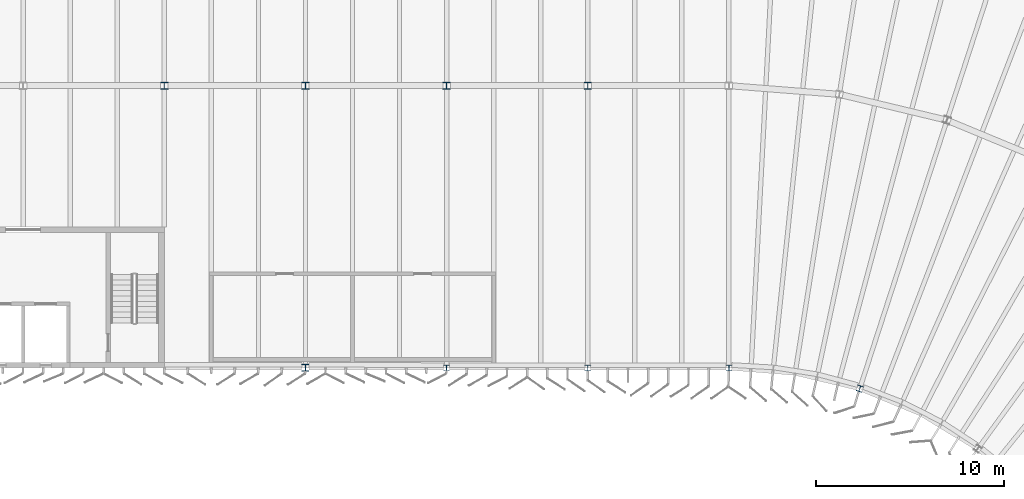
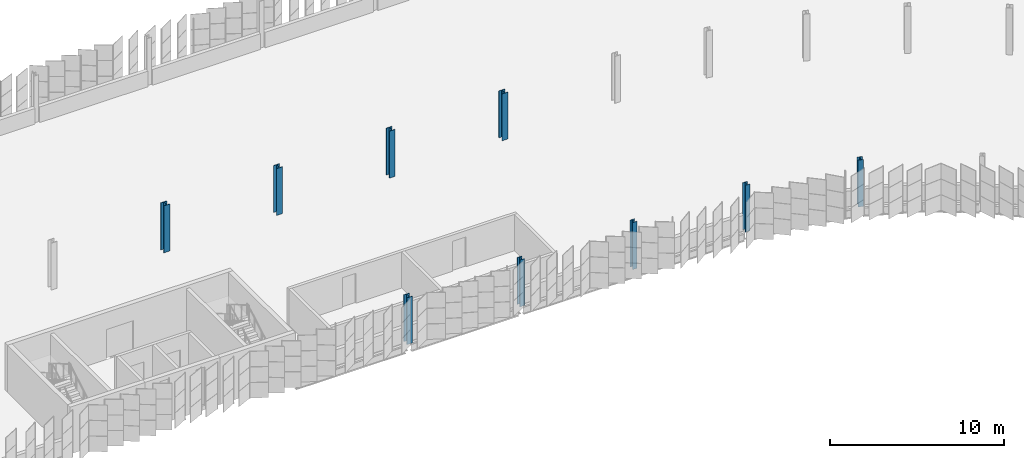
# One storey, part 27 of 214: 9 columns.
"""IFC4 building model written with IfcOpenShell, lengths in metres."""

from ifc_helpers import new_model, si_unit, direction, frame, origin, origin_2d, place, context, subcontext, project, spatial, i_section, extrude, material, material_profile, profile_set, type_object, element, save


model = new_model("IFC4")

# Units and contexts
model_context = context("Model", 3, precision=1e-05, world=origin(), true_north=direction((0.0, 1.0)))
body_context = subcontext(model_context, "Body", "Model", "MODEL_VIEW")
ifc_project = project(units=[si_unit("LENGTHUNIT", "METRE"), si_unit("AREAUNIT", "SQUARE_METRE"), si_unit("VOLUMEUNIT", "CUBIC_METRE"), si_unit("PLANEANGLEUNIT", "RADIAN"), si_unit("MASSUNIT", "GRAM", prefix="KILO")], contexts=[model_context])

# Site, building, storey
site_placement = place(None, origin())
site = spatial("IfcSite", under=ifc_project, at=site_placement, CompositionType="ELEMENT")
building_placement = place(site_placement, origin())
building = spatial("IfcBuilding", under=site, at=building_placement, Name="Parallax Yard Mobility Hub", CompositionType="ELEMENT")
storey_placement = place(building_placement, frame((0.0, 0.0, 3.300048828125)))
storey = spatial("IfcBuildingStorey", under=building, at=storey_placement, Name="L01", CompositionType="ELEMENT", Elevation=3.300048828125)

# Columns
ifc_material = material(Name="Steel ASTM A992", Category="steel")
ifc_material_profile_1 = material_profile(ifc_material, i_section(OverallWidth=0.304931640625, OverallDepth=0.31201171875, WebThickness=0.010986328125, FlangeThickness=0.01708984375, FilletRadius=0.015380859375, at=origin_2d()), Name="W310x107")
ifc_profile_set_1 = profile_set([ifc_material_profile_1], Name="Steel ASTM A992")
column_type_1 = type_object("IfcColumnType", Name="W310x107 column", PredefinedType="COLUMN", material=ifc_profile_set_1)
for number, where, z_axis, x_axis, name in (
    (1, (157.5, 112.5, 0.0), (0.0, 0.0, 1.0), (1.0, 0.0, 0.0), "Column C2 level L01 at R/22 of ramped parking decks"),
    (2, (165.0, 112.5, 0.0), (0.0, 0.0, 1.0), (1.0, 0.0, 0.0), "Column C2 level L01 at R/23 of ramped parking decks"),
    (3, (172.5, 112.5, 0.0), (0.0, 0.0, 1.0), (1.0, 0.0, 0.0), "Column C2 level L01 at R/24 of ramped parking decks"),
):
    element("IfcColumn", number, at=place(storey_placement, frame(where, z_axis=z_axis, x_axis=x_axis)), inside=storey, type_object=column_type_1, Name=name, PredefinedType="COLUMN", context=body_context, shape_type="SweptSolid", body=[
        extrude(i_section(OverallWidth=0.304931640625, OverallDepth=0.31201171875, WebThickness=0.010986328125, FlangeThickness=0.01708984375, FilletRadius=0.015380859375, at=origin_2d()), origin(), (0.0, 0.0, 1.0), 3.300048828125),
    ])
ifc_material_profile_2 = material_profile(ifc_material, i_section(OverallWidth=0.306884765625, OverallDepth=0.318115234375, WebThickness=0.01318359375, FlangeThickness=0.0205078125, FilletRadius=0.01513671875, at=origin_2d()), Name="W310x129")
ifc_profile_set_2 = profile_set([ifc_material_profile_2], Name="Steel ASTM A992")
column_type_2 = type_object("IfcColumnType", Name="W310x129 column", PredefinedType="COLUMN", material=ifc_profile_set_2)
column_1_placement = place(storey_placement, frame((179.452880859375, 111.398681640625, 0.0), z_axis=(0.0, 0.0, 1.0), x_axis=(-0.951056516295, 0.309016994375, 0.0)))
element("IfcColumn", 4, at=column_1_placement, inside=storey, type_object=column_type_2, Name="Column C3 level L01 at RA/R2 of ramped parking decks", PredefinedType="COLUMN", context=body_context, shape_type="SweptSolid", body=[
    extrude(i_section(OverallWidth=0.306884765625, OverallDepth=0.318115234375, WebThickness=0.01318359375, FlangeThickness=0.0205078125, FilletRadius=0.01513671875, at=origin_2d()), origin(), (0.0, 0.0, 1.0), 3.300048828125),
])
ifc_material_profile_3 = material_profile(ifc_material, i_section(OverallWidth=0.373046875, OverallDepth=0.373046875, WebThickness=0.016357421875, FlangeThickness=0.026123046875, FilletRadius=0.01513671875, at=origin_2d()), Name="W360x196")
ifc_profile_set_3 = profile_set([ifc_material_profile_3], Name="Steel ASTM A992")
column_type_3 = type_object("IfcColumnType", Name="W360x196 column", PredefinedType="COLUMN", material=ifc_profile_set_3)
column_2_placement = place(storey_placement, frame((150.0, 112.5, 0.0), z_axis=(0.0, 0.0, 1.0), x_axis=(1.0, 0.0, 0.0)))
element("IfcColumn", 5, at=column_2_placement, inside=storey, type_object=column_type_3, Name="Column C8 level L01 at R/21 of ramped parking decks", PredefinedType="COLUMN", context=body_context, shape_type="SweptSolid", body=[
    extrude(i_section(OverallWidth=0.373046875, OverallDepth=0.373046875, WebThickness=0.016357421875, FlangeThickness=0.026123046875, FilletRadius=0.01513671875, at=origin_2d()), origin(), (0.0, 0.0, 1.0), 3.300048828125),
])
ifc_material_profile_4 = material_profile(ifc_material, i_section(OverallWidth=0.39404296875, OverallDepth=0.3759765625, WebThickness=0.017333984375, FlangeThickness=0.027587890625, FilletRadius=0.01513671875, at=origin_2d()), Name="W360x216")
ifc_profile_set_4 = profile_set([ifc_material_profile_4], Name="Steel ASTM A992")
column_type_4 = type_object("IfcColumnType", Name="W360x216 column", PredefinedType="COLUMN", material=ifc_profile_set_4)
for number, where, z_axis, x_axis, name in (
    (6, (150.0, 127.5, 0.0), (0.0, 0.0, 1.0), (1.0, 0.0, 0.0), "Column C9 level L01 at T/21 of ramped parking decks"),
    (7, (157.5, 127.5, 0.0), (0.0, 0.0, 1.0), (1.0, 0.0, 0.0), "Column C9 level L01 at T/22 of ramped parking decks"),
    (8, (165.0, 127.5, 0.0), (0.0, 0.0, 1.0), (1.0, 0.0, 0.0), "Column C9 level L01 at T/23 of ramped parking decks"),
):
    element("IfcColumn", number, at=place(storey_placement, frame(where, z_axis=z_axis, x_axis=x_axis)), inside=storey, type_object=column_type_4, Name=name, PredefinedType="COLUMN", context=body_context, shape_type="SweptSolid", body=[
        extrude(i_section(OverallWidth=0.39404296875, OverallDepth=0.3759765625, WebThickness=0.017333984375, FlangeThickness=0.027587890625, FilletRadius=0.01513671875, at=origin_2d()), origin(), (0.0, 0.0, 1.0), 3.300048828125),
    ])
ifc_material_profile_5 = material_profile(ifc_material, i_section(OverallWidth=0.39599609375, OverallDepth=0.381103515625, WebThickness=0.018798828125, FlangeThickness=0.0302734375, FilletRadius=0.015380859375, at=origin_2d()), Name="W360x237")
ifc_profile_set_5 = profile_set([ifc_material_profile_5], Name="Steel ASTM A992")
column_type_5 = type_object("IfcColumnType", Name="W360x237 column", PredefinedType="COLUMN", material=ifc_profile_set_5)
column_3_placement = place(storey_placement, frame((142.5, 127.5, 0.0), z_axis=(0.0, 0.0, 1.0), x_axis=(1.0, 0.0, 0.0)))
element("IfcColumn", 9, at=column_3_placement, inside=storey, type_object=column_type_5, Name="Column C10 level L01 at T/20 of ramped parking decks", PredefinedType="COLUMN", context=body_context, shape_type="SweptSolid", body=[
    extrude(i_section(OverallWidth=0.39599609375, OverallDepth=0.381103515625, WebThickness=0.018798828125, FlangeThickness=0.0302734375, FilletRadius=0.015380859375, at=origin_2d()), origin(), (0.0, 0.0, 1.0), 3.300048828125),
])

save(model, "model.ifc")
